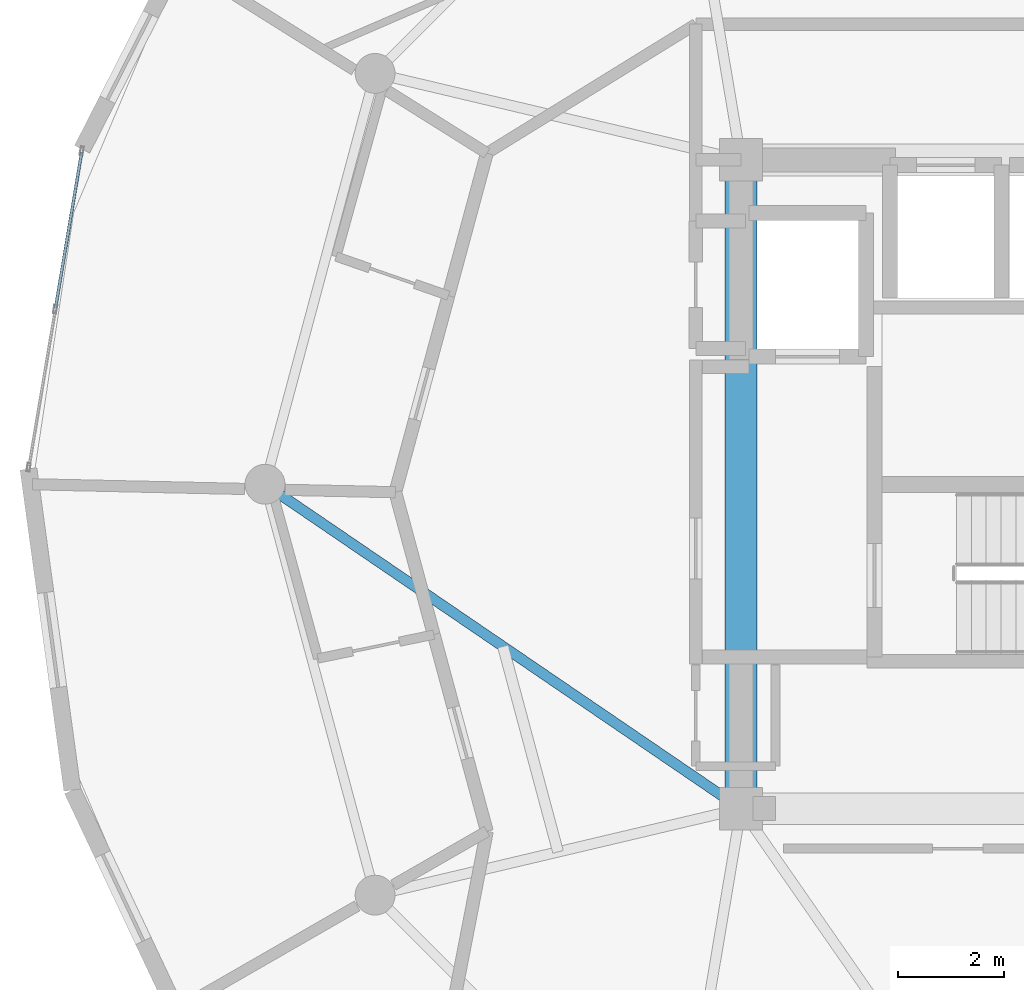
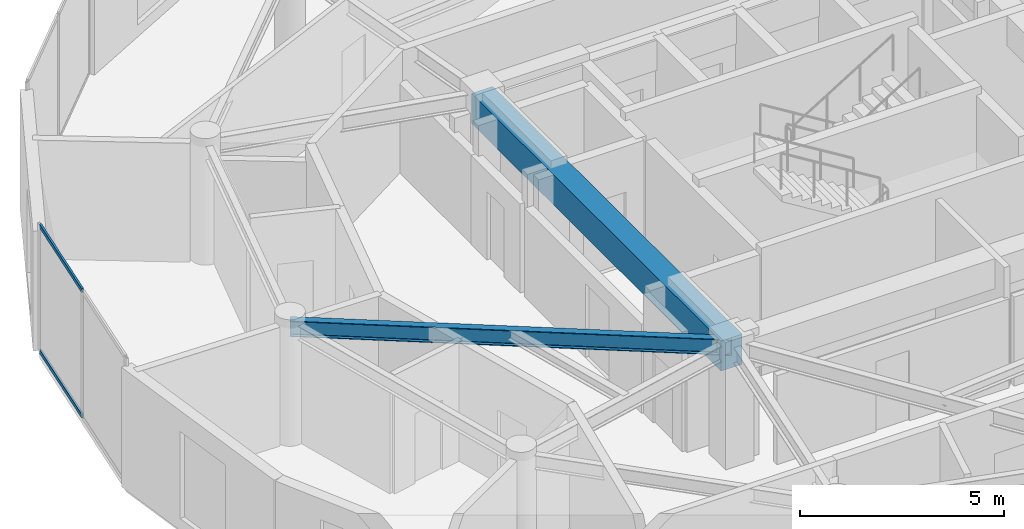
# One storey, part 8 of 23: 2 beams, 2 members, 1 element without a shape of its own.
"""IFC4 building model written with IfcOpenShell, lengths in metres."""

from ifc_helpers import new_model, si_unit, direction, frame, origin, origin_2d, place, context, subcontext, project, spatial, rectangle, hollow_rectangle, i_section, extrude, source, transform, mapped, material, layer, layer_set, material_profile, profile_set, type_object, element, aggregate, save


model = new_model("IFC4")

# Units and contexts
model_context = context("Model", 3, precision=1e-05, world=origin(), true_north=direction((0.0, 1.0)))
body_context = subcontext(model_context, "Body", "Model", "MODEL_VIEW")
ifc_project = project(units=[si_unit("LENGTHUNIT", "METRE"), si_unit("AREAUNIT", "SQUARE_METRE"), si_unit("VOLUMEUNIT", "CUBIC_METRE"), si_unit("PLANEANGLEUNIT", "RADIAN"), si_unit("MASSUNIT", "GRAM", prefix="KILO")], contexts=[model_context])

# Site, building, storey
site_placement = place(None, origin())
site = spatial("IfcSite", under=ifc_project, at=site_placement, CompositionType="ELEMENT")
building_placement = place(site_placement, origin())
building = spatial("IfcBuilding", under=site, at=building_placement, Name="Solvirekh Grand Hotel", CompositionType="ELEMENT")
storey_placement = place(building_placement, frame((0.0, 0.0, 282.0)))
storey = spatial("IfcBuildingStorey", under=building, at=storey_placement, Name="L73", CompositionType="ELEMENT", Elevation=282.0)

# Beams
ifc_material_1 = material(Name="Concrete C50/60", Category="concrete")
ifc_material_profile_1 = material_profile(ifc_material_1, rectangle(XDim=0.60009765625, YDim=0.89990234375, at=origin_2d()), Name="RC BEAM 600X900")
ifc_profile_set_1 = profile_set([ifc_material_profile_1], Name="Concrete C50/60")
beam_type_1 = type_object("IfcBeamType", Name="Beam_Core_RC900", PredefinedType="BEAM", material=ifc_profile_set_1)
beam_1_placement = place(storey_placement, frame((-6.5, 6.10009765625, 3.1201171875), z_axis=(0.0, -1.0, 0.0), x_axis=(1.0, 0.0, 0.0)))
element("IfcBeam", 1, at=beam_1_placement, inside=storey, type_object=beam_type_1, Name="L73 core coupling ring beam 4", PredefinedType="BEAM", context=body_context, shape_type="SweptSolid", body=[
    extrude(rectangle(XDim=0.60009765625, YDim=0.89990234375, at=origin_2d()), origin(), (0.0, 0.0, 1.0), 12.2001953125),
])
ifc_material_2 = material(Name="Steel S355", Category="steel")
ifc_material_profile_2 = material_profile(ifc_material_2, i_section(OverallWidth=0.194091796875, OverallDepth=0.468994140625, WebThickness=0.010986328125, FlangeThickness=0.01904296875, FilletRadius=0.012939453125, at=origin_2d()), Name="W460X106")
ifc_profile_set_2 = profile_set([ifc_material_profile_2], Name="Steel S355")
beam_type_2 = type_object("IfcBeamType", Name="Beam_Radial_W460H", PredefinedType="BEAM", material=ifc_profile_set_2)
beam_2_placement = place(storey_placement, frame((-6.5, -6.10009765625, 3.3349609375), z_axis=(-0.826319370306, 0.563201827285, 0.0), x_axis=(-0.563201827285, -0.826319370306, 0.0)))
element("IfcBeam", 2, at=beam_2_placement, inside=storey, type_object=beam_type_2, Name="L73 radial floor beam R07", PredefinedType="BEAM", context=body_context, shape_type="SweptSolid", body=[
    extrude(i_section(OverallWidth=0.194091796875, OverallDepth=0.468994140625, WebThickness=0.010986328125, FlangeThickness=0.01904296875, FilletRadius=0.012939453125, at=origin_2d()), origin(), (0.0, 0.0, 1.0), 10.8310546875),
])

# Curtain wall, members
ifc_material_3 = material(Name="Anodized Bronze Aluminium 6063-T6", Category="aluminium")
ifc_layer = layer(ifc_material_3, 0.159912109375)
ifc_layer_set = layer_set([ifc_layer], Name="Anodized Bronze Aluminium 6063-T6")
curtain_wall_type = type_object("IfcCurtainWallType", Name="CW_Sys4_HighZoneFlushBronzeCW", PredefinedType="NOTDEFINED", material=ifc_layer_set)
curtain_wall_placement = place(storey_placement, origin())
curtain_wall = element("IfcCurtainWall", 3, at=curtain_wall_placement, inside=storey, type_object=curtain_wall_type, Name="L73 unitised bronze-glass curtain wall CW-L73-C15", PredefinedType="NOTDEFINED")
ifc_material_profile_3 = material_profile(ifc_material_3, hollow_rectangle(XDim=0.054931640625, YDim=0.1201171875, WallThickness=0.00390625, at=origin_2d()), Name="ALU RHS 120X55X4")
ifc_profile_set_3 = profile_set([ifc_material_profile_3], Name="Anodized Bronze Aluminium 6063-T6")
member_type = type_object("IfcMemberType", Name="CWTransom_Sys4", PredefinedType="USERDEFINED", material=ifc_profile_set_3)
shared_shape = source(origin(), body_context, "Body", "SweptSolid", [
    extrude(hollow_rectangle(XDim=0.054931640625, YDim=0.1201171875, WallThickness=0.00390625, at=origin_2d()), origin(), (0.0, 0.0, 1.0), 2.95751953125),
])
member_1_placement = place(storey_placement, frame((-18.89794921875, 6.23974609375, 0.027587890625), z_axis=(-0.165670510566, -0.986181160806, 0.0), x_axis=(0.986181160806, -0.165670510566, 0.0)))
member_1 = element("IfcMember", 4, at=member_1_placement, type_object=member_type, Name="U04 transom 1.1", ObjectType="TRANSOM", PredefinedType="USERDEFINED", context=body_context, shape_type="MappedRepresentation", body=[
    mapped(shared_shape, transform((0.0, 0.0, 0.0), x_axis=(1.0, 0.0, 0.0), y_axis=(0.0, 1.0, 0.0), z_axis=(0.0, 0.0, 1.0), scale=1.0)),
])
member_2_placement = place(storey_placement, frame((-18.89794921875, 6.23974609375, 3.7724609375), z_axis=(-0.165670510566, -0.986181160806, 0.0), x_axis=(0.986181160806, -0.165670510566, 0.0)))
member_2 = element("IfcMember", 5, at=member_2_placement, type_object=member_type, Name="U04 transom 1.2", ObjectType="TRANSOM", PredefinedType="USERDEFINED", context=body_context, shape_type="MappedRepresentation", body=[
    mapped(shared_shape, transform((0.0, 0.0, 0.0), x_axis=(1.0, 0.0, 0.0), y_axis=(0.0, 1.0, 0.0), z_axis=(0.0, 0.0, 1.0), scale=1.0)),
])
aggregate(curtain_wall, [member_1, member_2])

save(model, "model.ifc")
